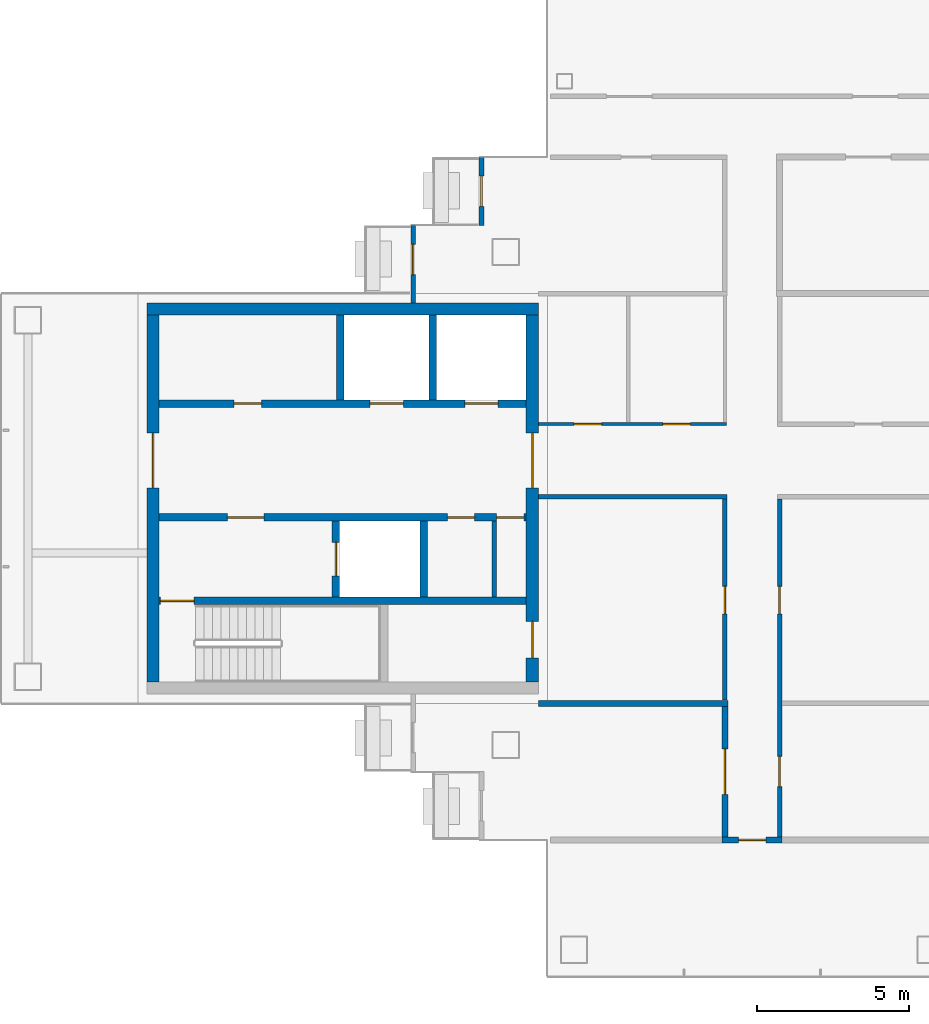
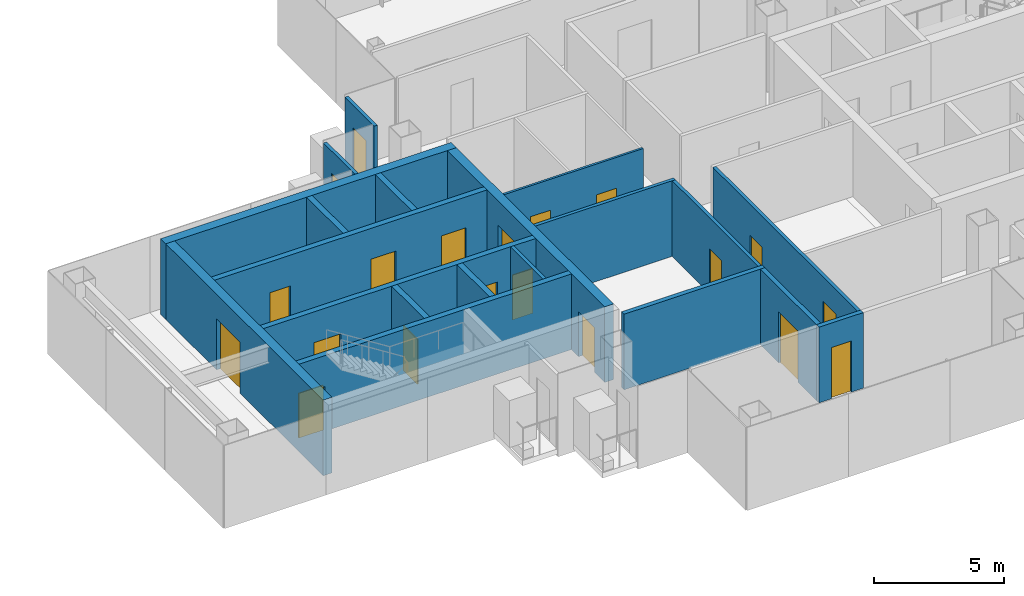
# One storey, part 11 of 17: 20 doors, 20 walls, 20 openings.
"""IFC4 building model written with IfcOpenShell, lengths in metres."""

from ifc_helpers import new_model, si_unit, direction, frame, frame_2d, origin, place, context, subcontext, project, spatial, rectangle, extrude, material, layer, layer_set, type_object, element, fill, save


model = new_model("IFC4")

# Units and contexts
model_context = context("Model", 3, precision=1e-05, world=origin(), true_north=direction((0.0, 1.0)))
body_context = subcontext(model_context, "Body", "Model", "MODEL_VIEW")
ifc_project = project(units=[si_unit("LENGTHUNIT", "METRE"), si_unit("AREAUNIT", "SQUARE_METRE"), si_unit("VOLUMEUNIT", "CUBIC_METRE"), si_unit("PLANEANGLEUNIT", "RADIAN"), si_unit("MASSUNIT", "GRAM", prefix="KILO")], contexts=[model_context])

# Site, building, storey
site_placement = place(None, origin())
site = spatial("IfcSite", under=ifc_project, at=site_placement, CompositionType="ELEMENT")
building_placement = place(site_placement, origin())
building = spatial("IfcBuilding", under=site, at=building_placement, Name="Shamsa Quay Exchange Towers", CompositionType="ELEMENT")
storey_placement = place(building_placement, frame((0.0, 0.0, 234.300048828125)))
storey = spatial("IfcBuildingStorey", under=building, at=storey_placement, Name="L56", CompositionType="ELEMENT", Elevation=234.300048828125)

# Wall, opening, door
ifc_material_1 = material(Name="Double-leaf gypsum board partition with acoustic insulation")
ifc_layer_1 = layer(ifc_material_1, 0.199951171875)
ifc_layer_set_1 = layer_set([ifc_layer_1], Name="Acoustic partition 200 mm EI 60")
wall_type_1 = type_object("IfcWallType", Name="Acoustic partition 200 mm EI 60", PredefinedType="PARTITIONING", material=ifc_layer_set_1)
wall_1_placement = place(storey_placement, frame((32.849609375, -11.14990234375, 0.0), z_axis=(0.0, 0.0, 1.0), x_axis=(0.0, 1.0, 0.0)))
wall_1 = element("IfcWall", 1, at=wall_1_placement, inside=storey, type_object=wall_type_1, Name="Partition T2-R25-W14", PredefinedType="PARTITIONING", context=body_context, shape_type="SweptSolid", body=[
    extrude(rectangle(XDim=4.2998046875, YDim=0.199951171875, at=frame_2d((2.14990234375, 0.0))), origin(), (0.0, 0.0, 1.0), 3.550048828125),
])
opening_1_placement = place(wall_1_placement, frame((1.39990234375, 0.0, 0.0)))
opening_1 = element("IfcOpeningElement", 2, at=opening_1_placement, cuts=wall_1, Name="Opening T2-R25-D06", PredefinedType="OPENING", context=body_context, shape_type="SweptSolid", body=[
    extrude(rectangle(XDim=1.5, YDim=2.39990234375, at=frame_2d((0.75, 1.199951171875))), frame((0.0, 0.10986328125, 0.0), z_axis=(0.0, -1.0, 0.0), x_axis=(1.0, 0.0, 0.0)), (0.0, 0.0, 1.0), 0.219970703125),
])
ifc_material_2 = material(Name="Timber door leaf in a metal frame", Category="wood")
door_type_1 = type_object("IfcDoorType", Name="Door 1500x2400 FD30S pair", OperationType="NOTDEFINED", PredefinedType="DOOR", material=ifc_material_2)
door_1_placement = place(opening_1_placement, origin())
door_1 = element("IfcDoor", 3, at=door_1_placement, inside=storey, type_object=door_type_1, Name="Door T2-R25-D06", OperationType="DOUBLE_DOOR_SINGLE_SWING", OverallHeight=2.39990234375, OverallWidth=1.5, PredefinedType="DOOR", context=body_context, shape_type="SweptSolid", body=[
    extrude(rectangle(XDim=1.5, YDim=2.39990234375, at=frame_2d((0.75, 1.199951171875))), frame((0.0, 0.02490234375, 0.0), z_axis=(0.0, -1.0, 0.0), x_axis=(1.0, 0.0, 0.0)), (0.0, 0.0, 1.0), 0.050048828125),
])
fill(opening_1, door_1)

wall_2_placement = place(storey_placement, frame((34.725341796875, -11.25, 0.0), z_axis=(0.0, 0.0, 1.0), x_axis=(-1.0, 0.0, 0.0)))
wall_2 = element("IfcWall", 4, at=wall_2_placement, inside=storey, type_object=wall_type_1, Name="Partition T2-R25-W15", PredefinedType="PARTITIONING", context=body_context, shape_type="SweptSolid", body=[
    extrude(rectangle(XDim=1.975830078125, YDim=0.199951171875, at=frame_2d((0.98779296875, 0.0))), origin(), (0.0, 0.0, 1.0), 3.550048828125),
])
opening_2_placement = place(wall_2_placement, frame((0.525390625, 0.0, 0.0)))
opening_2 = element("IfcOpeningElement", 5, at=opening_2_placement, cuts=wall_2, Name="Opening T2-R25-D05", PredefinedType="OPENING", context=body_context, shape_type="SweptSolid", body=[
    extrude(rectangle(XDim=0.89990234375, YDim=2.39990234375, at=frame_2d((0.449951171875, 1.199951171875))), frame((0.0, 0.10986328125, 0.0), z_axis=(0.0, -1.0, 0.0), x_axis=(1.0, 0.0, 0.0)), (0.0, 0.0, 1.0), 0.219970703125),
])
door_type_2 = type_object("IfcDoorType", Name="Door 900x2400 FD30S", OperationType="NOTDEFINED", PredefinedType="DOOR", material=ifc_material_2)
door_2_placement = place(opening_2_placement, origin())
door_2 = element("IfcDoor", 6, at=door_2_placement, inside=storey, type_object=door_type_2, Name="Door T2-R25-D05", OperationType="SINGLE_SWING_RIGHT", OverallHeight=2.39990234375, OverallWidth=0.89990234375, PredefinedType="DOOR", context=body_context, shape_type="SweptSolid", body=[
    extrude(rectangle(XDim=0.89990234375, YDim=2.39990234375, at=frame_2d((0.449951171875, 1.199951171875))), frame((0.0, 0.02490234375, 0.0), z_axis=(0.0, -1.0, 0.0), x_axis=(1.0, 0.0, 0.0)), (0.0, 0.0, 1.0), 0.050048828125),
])
fill(opening_2, door_2)

# Wall
wall_3_placement = place(storey_placement, frame((26.699951171875, -6.75, 0.0)))
element("IfcWall", 7, at=wall_3_placement, inside=storey, type_object=wall_type_1, Name="Partition T2-R25-W18", PredefinedType="PARTITIONING", context=body_context, shape_type="SweptSolid", body=[
    extrude(rectangle(XDim=6.249755859375, YDim=0.199951171875, at=frame_2d((3.125, 0.0))), origin(), (0.0, 0.0, 1.0), 3.550048828125),
])

# Wall, opening, door
ifc_material_3 = material(Name="Aluminium EN AW-6063 T6, black anodised, with black enamelled glass infill", Category="aluminium")
ifc_layer_2 = layer(ifc_material_3, 0.14990234375)
ifc_layer_set_2 = layer_set([ifc_layer_2], Name="BALCONY DOOR BAY WALL 150")
wall_type_2 = type_object("IfcWallType", Name="BALCONY DOOR BAY WALL 150", PredefinedType="SOLIDWALL", material=ifc_layer_set_2)
wall_4_placement = place(storey_placement, frame((24.824951171875, 9.0, 0.0), z_axis=(0.0, 0.0, 1.0), x_axis=(0.0, 1.0, 0.0)))
wall_4 = element("IfcWall", 8, at=wall_4_placement, inside=storey, type_object=wall_type_2, Name="Door bay T2-PKEN L56", PredefinedType="SOLIDWALL", context=body_context, shape_type="SweptSolid", body=[
    extrude(rectangle(XDim=2.25, YDim=0.14990234375, at=frame_2d((1.125, 0.0))), origin(), (0.0, 0.0, 1.0), 3.449951171875),
])
opening_3_placement = place(wall_4_placement, frame((0.625, 0.0, 0.0)))
opening_3 = element("IfcOpeningElement", 9, at=opening_3_placement, cuts=wall_4, Name="Opening XD369", PredefinedType="OPENING", context=body_context, shape_type="SweptSolid", body=[
    extrude(rectangle(XDim=1.0, YDim=2.39990234375, at=frame_2d((0.5, 1.199951171875))), frame((0.0, 0.0849609375, 0.0), z_axis=(0.0, -1.0, 0.0), x_axis=(1.0, 0.0, 0.0)), (0.0, 0.0, 1.0), 0.169921875),
])
ifc_material_4 = material(Name="Aluminium EN AW-6063 T6, black anodised, with laminated glass leaf", Category="aluminium")
door_type_3 = type_object("IfcDoorType", Name="BALCONY DOOR 1000x2400", OperationType="SINGLE_SWING_LEFT", PredefinedType="DOOR", material=ifc_material_4)
door_3_placement = place(opening_3_placement, origin())
door_3 = element("IfcDoor", 10, at=door_3_placement, inside=storey, type_object=door_type_3, Name="Balcony door T2-PKEN L56", OperationType="SINGLE_SWING_RIGHT", OverallHeight=2.39990234375, OverallWidth=1.0, PredefinedType="DOOR", context=body_context, shape_type="SweptSolid", body=[
    extrude(rectangle(XDim=1.0, YDim=2.39990234375, at=frame_2d((0.5, 1.199951171875))), frame((0.0, 0.02490234375, 0.0), z_axis=(0.0, -1.0, 0.0), x_axis=(1.0, 0.0, 0.0)), (0.0, 0.0, 1.0), 0.050048828125),
])
fill(opening_3, door_3)

wall_5_placement = place(storey_placement, frame((22.574951171875, 6.447998046875, 0.0), z_axis=(0.0, 0.0, 1.0), x_axis=(0.0, 1.0, 0.0)))
wall_5 = element("IfcWall", 11, at=wall_5_placement, inside=storey, type_object=wall_type_2, Name="Door bay T2-PKEN L56", PredefinedType="SOLIDWALL", context=body_context, shape_type="SweptSolid", body=[
    extrude(rectangle(XDim=2.552001953125, YDim=0.14990234375, at=frame_2d((1.27587890625, 0.0))), origin(), (0.0, 0.0, 1.0), 3.449951171875),
])
opening_4_placement = place(wall_5_placement, frame((0.927001953125, 0.0, 0.0)))
opening_4 = element("IfcOpeningElement", 12, at=opening_4_placement, cuts=wall_5, Name="Opening XD370", PredefinedType="OPENING", context=body_context, shape_type="SweptSolid", body=[
    extrude(rectangle(XDim=1.0, YDim=2.39990234375, at=frame_2d((0.5, 1.199951171875))), frame((0.0, 0.0849609375, 0.0), z_axis=(0.0, -1.0, 0.0), x_axis=(1.0, 0.0, 0.0)), (0.0, 0.0, 1.0), 0.169921875),
])
door_4_placement = place(opening_4_placement, origin())
door_4 = element("IfcDoor", 13, at=door_4_placement, inside=storey, type_object=door_type_3, Name="Balcony door T2-PKEN L56", OperationType="SINGLE_SWING_LEFT", OverallHeight=2.39990234375, OverallWidth=1.0, PredefinedType="DOOR", context=body_context, shape_type="SweptSolid", body=[
    extrude(rectangle(XDim=1.0, YDim=2.39990234375, at=frame_2d((0.5, 1.199951171875))), frame((0.0, 0.02490234375, 0.0), z_axis=(0.0, -1.0, 0.0), x_axis=(1.0, 0.0, 0.0)), (0.0, 0.0, 1.0), 0.050048828125),
])
fill(opening_4, door_4)

# Wall
ifc_material_5 = material(Name="Concrete C60/75", Category="concrete")
ifc_layer_3 = layer(ifc_material_5, 0.39990234375)
ifc_layer_set_3 = layer_set([ifc_layer_3], Name="CORE WALL 400 C60/75")
wall_type_3 = type_object("IfcWallType", Name="CORE WALL 400 C60/75", PredefinedType="SHEAR", material=ifc_layer_set_3)
wall_6_placement = place(storey_placement, frame((13.800048828125, 6.25, 0.0)))
element("IfcWall", 14, at=wall_6_placement, inside=storey, type_object=wall_type_3, Name="Core wall T2A-R25-PN", PredefinedType="SHEAR", context=body_context, shape_type="SweptSolid", body=[
    extrude(rectangle(XDim=12.89990234375, YDim=0.39990234375, at=frame_2d((6.449951171875, 0.0))), origin(), (0.0, 0.0, 1.0), 3.550048828125),
])

# Wall, opening, door
wall_7_placement = place(storey_placement, frame((14.0, 6.050048828125, 0.0), z_axis=(0.0, 0.0, 1.0), x_axis=(0.0, -1.0, 0.0)))
wall_7 = element("IfcWall", 15, at=wall_7_placement, inside=storey, type_object=wall_type_3, Name="Core wall T2A-R25-PF", PredefinedType="SHEAR", context=body_context, shape_type="SweptSolid", body=[
    extrude(rectangle(XDim=12.10009765625, YDim=0.39990234375, at=frame_2d((6.050048828125, 0.0))), origin(), (0.0, 0.0, 1.0), 3.550048828125),
])
opening_5_placement = place(wall_7_placement, frame((3.89990234375, 0.0, 0.0)))
opening_5 = element("IfcOpeningElement", 16, at=opening_5_placement, cuts=wall_7, Name="Opening T2A-R25-LBD01", PredefinedType="OPENING", context=body_context, shape_type="SweptSolid", body=[
    extrude(rectangle(XDim=1.800048828125, YDim=2.39990234375, at=frame_2d((0.89990234375, 1.199951171875))), frame((0.0, 0.2099609375, 0.0), z_axis=(0.0, -1.0, 0.0), x_axis=(1.0, 0.0, 0.0)), (0.0, 0.0, 1.0), 0.419921875),
])
ifc_material_6 = material(Name="Steel, fire rated", Category="steel")
door_type_4 = type_object("IfcDoorType", Name="LIFT LOBBY DOOR PAIR 1800", OperationType="DOUBLE_DOOR_SINGLE_SWING", PredefinedType="DOOR", material=ifc_material_6)
door_5_placement = place(opening_5_placement, origin())
door_5 = element("IfcDoor", 17, at=door_5_placement, inside=storey, type_object=door_type_4, Name="T2A-R25-LBD01", OperationType="DOUBLE_DOOR_SINGLE_SWING", OverallHeight=2.39990234375, OverallWidth=1.800048828125, PredefinedType="DOOR", context=body_context, shape_type="SweptSolid", body=[
    extrude(rectangle(XDim=1.800048828125, YDim=2.39990234375, at=frame_2d((0.89990234375, 1.199951171875))), frame((0.0, 0.02490234375, 0.0), z_axis=(0.0, -1.0, 0.0), x_axis=(1.0, 0.0, 0.0)), (0.0, 0.0, 1.0), 0.050048828125),
])
fill(opening_5, door_5)

# Wall, openings, doors
wall_8_placement = place(storey_placement, frame((26.5, 6.050048828125, 0.0), z_axis=(0.0, 0.0, 1.0), x_axis=(0.0, -1.0, 0.0)))
wall_8 = element("IfcWall", 18, at=wall_8_placement, inside=storey, type_object=wall_type_3, Name="Core wall T2A-R25-PB", PredefinedType="SHEAR", context=body_context, shape_type="SweptSolid", body=[
    extrude(rectangle(XDim=12.10009765625, YDim=0.39990234375, at=frame_2d((6.050048828125, 0.0))), origin(), (0.0, 0.0, 1.0), 3.550048828125),
])
opening_6_placement = place(wall_8_placement, frame((10.10009765625, 0.0, 0.0)))
opening_6 = element("IfcOpeningElement", 19, at=opening_6_placement, cuts=wall_8, Name="Opening T2A-R25-RD02", PredefinedType="OPENING", context=body_context, shape_type="SweptSolid", body=[
    extrude(rectangle(XDim=1.199951171875, YDim=2.10009765625, at=frame_2d((0.60009765625, 1.050048828125))), frame((0.0, 0.2099609375, 0.0), z_axis=(0.0, -1.0, 0.0), x_axis=(1.0, 0.0, 0.0)), (0.0, 0.0, 1.0), 0.419921875),
])
opening_7_placement = place(wall_8_placement, frame((3.89990234375, 0.0, 0.0)))
opening_7 = element("IfcOpeningElement", 20, at=opening_7_placement, cuts=wall_8, Name="Opening T2A-R25-LBD03", PredefinedType="OPENING", context=body_context, shape_type="SweptSolid", body=[
    extrude(rectangle(XDim=1.800048828125, YDim=2.39990234375, at=frame_2d((0.89990234375, 1.199951171875))), frame((0.0, 0.2099609375, 0.0), z_axis=(0.0, -1.0, 0.0), x_axis=(1.0, 0.0, 0.0)), (0.0, 0.0, 1.0), 0.419921875),
])
door_6_placement = place(opening_7_placement, origin())
door_6 = element("IfcDoor", 21, at=door_6_placement, inside=storey, type_object=door_type_4, Name="T2A-R25-LBD03", OperationType="DOUBLE_DOOR_SINGLE_SWING", OverallHeight=2.39990234375, OverallWidth=1.800048828125, PredefinedType="DOOR", context=body_context, shape_type="SweptSolid", body=[
    extrude(rectangle(XDim=1.800048828125, YDim=2.39990234375, at=frame_2d((0.89990234375, 1.199951171875))), frame((0.0, 0.02490234375, 0.0), z_axis=(0.0, -1.0, 0.0), x_axis=(1.0, 0.0, 0.0)), (0.0, 0.0, 1.0), 0.050048828125),
])
fill(opening_7, door_6)
door_type_5 = type_object("IfcDoorType", Name="RISER ACCESS DOOR 1200", OperationType="SINGLE_SWING_LEFT", PredefinedType="DOOR", material=ifc_material_6)
door_7_placement = place(opening_6_placement, origin())
door_7 = element("IfcDoor", 22, at=door_7_placement, inside=storey, type_object=door_type_5, Name="T2A-R25-RD02", OperationType="SINGLE_SWING_RIGHT", OverallHeight=2.10009765625, OverallWidth=1.199951171875, PredefinedType="DOOR", context=body_context, shape_type="SweptSolid", body=[
    extrude(rectangle(XDim=1.199951171875, YDim=2.10009765625, at=frame_2d((0.60009765625, 1.050048828125))), frame((0.0, 0.02490234375, 0.0), z_axis=(0.0, -1.0, 0.0), x_axis=(1.0, 0.0, 0.0)), (0.0, 0.0, 1.0), 0.050048828125),
])
fill(opening_6, door_7)

# Wall
ifc_material_7 = material(Name="Gypsum board on steel studs, EI 60", Category="steel")
ifc_layer_4 = layer(ifc_material_7, 0.14990234375)
ifc_layer_set_4 = layer_set([ifc_layer_4], Name="FIRE PARTITION 150")
wall_type_4 = type_object("IfcWallType", Name="FIRE PARTITION 150", PredefinedType="PARTITIONING", material=ifc_layer_set_4)
wall_9_placement = place(storey_placement, frame((25.25, -3.25, 0.0), z_axis=(0.0, 0.0, 1.0), x_axis=(0.0, 1.0, 0.0)))
element("IfcWall", 23, at=wall_9_placement, inside=storey, type_object=wall_type_4, Name="Partition T2A-R25-EC0", PredefinedType="PARTITIONING", context=body_context, shape_type="SweptSolid", body=[
    extrude(rectangle(XDim=2.5, YDim=0.14990234375, at=frame_2d((1.25, 0.0))), origin(), (0.0, 0.0, 1.0), 3.550048828125),
])

# Wall, openings, doors
ifc_material_8 = material(Name="Gypsum board partition on metal studs")
ifc_layer_5 = layer(ifc_material_8, 0.10009765625)
ifc_layer_set_5 = layer_set([ifc_layer_5], Name="Partition 100 mm NOT RATED")
wall_type_5 = type_object("IfcWallType", Name="Partition 100 mm NOT RATED", PredefinedType="PARTITIONING", material=ifc_layer_set_5)
wall_10_placement = place(storey_placement, frame((26.699951171875, 2.4501953125, 0.0)))
wall_10 = element("IfcWall", 24, at=wall_10_placement, inside=storey, type_object=wall_type_5, Name="Partition T2-R25-W02", PredefinedType="PARTITIONING", context=body_context, shape_type="SweptSolid", body=[
    extrude(rectangle(XDim=6.19970703125, YDim=0.10009765625, at=frame_2d((3.099853515625, 0.0))), origin(), (0.0, 0.0, 1.0), 3.550048828125),
])
opening_8_placement = place(wall_10_placement, frame((4.105712890625, 0.0, 0.0)))
opening_8 = element("IfcOpeningElement", 25, at=opening_8_placement, cuts=wall_10, Name="Opening T2-R25-D08", PredefinedType="OPENING", context=body_context, shape_type="SweptSolid", body=[
    extrude(rectangle(XDim=0.89990234375, YDim=2.10009765625, at=frame_2d((0.449951171875, 1.050048828125))), frame((0.0, 0.06005859375, 0.0), z_axis=(0.0, -1.0, 0.0), x_axis=(1.0, 0.0, 0.0)), (0.0, 0.0, 1.0), 0.1201171875),
])
opening_9_placement = place(wall_10_placement, frame((1.18115234375, 0.0, 0.0)))
opening_9 = element("IfcOpeningElement", 26, at=opening_9_placement, cuts=wall_10, Name="Opening T2-R25-D09", PredefinedType="OPENING", context=body_context, shape_type="SweptSolid", body=[
    extrude(rectangle(XDim=0.89990234375, YDim=2.10009765625, at=frame_2d((0.449951171875, 1.050048828125))), frame((0.0, 0.06005859375, 0.0), z_axis=(0.0, -1.0, 0.0), x_axis=(1.0, 0.0, 0.0)), (0.0, 0.0, 1.0), 0.1201171875),
])
door_type_6 = type_object("IfcDoorType", Name="Door 900x2100 NOT RATED", OperationType="NOTDEFINED", PredefinedType="DOOR", material=ifc_material_2)
door_8_placement = place(opening_8_placement, origin())
door_8 = element("IfcDoor", 27, at=door_8_placement, inside=storey, type_object=door_type_6, Name="Door T2-R25-D08", OperationType="SINGLE_SWING_RIGHT", OverallHeight=2.10009765625, OverallWidth=0.89990234375, PredefinedType="DOOR", context=body_context, shape_type="SweptSolid", body=[
    extrude(rectangle(XDim=0.89990234375, YDim=2.10009765625, at=frame_2d((0.449951171875, 1.050048828125))), frame((0.0, 0.02490234375, 0.0), z_axis=(0.0, -1.0, 0.0), x_axis=(1.0, 0.0, 0.0)), (0.0, 0.0, 1.0), 0.050048828125),
])
fill(opening_8, door_8)
door_9_placement = place(opening_9_placement, origin())
door_9 = element("IfcDoor", 28, at=door_9_placement, inside=storey, type_object=door_type_6, Name="Door T2-R25-D09", OperationType="SINGLE_SWING_RIGHT", OverallHeight=2.10009765625, OverallWidth=0.89990234375, PredefinedType="DOOR", context=body_context, shape_type="SweptSolid", body=[
    extrude(rectangle(XDim=0.89990234375, YDim=2.10009765625, at=frame_2d((0.449951171875, 1.050048828125))), frame((0.0, 0.02490234375, 0.0), z_axis=(0.0, -1.0, 0.0), x_axis=(1.0, 0.0, 0.0)), (0.0, 0.0, 1.0), 0.050048828125),
])
fill(opening_9, door_9)

# Wall
ifc_layer_6 = layer(ifc_material_8, 0.14990234375)
ifc_layer_set_6 = layer_set([ifc_layer_6], Name="Partition 150 mm EI 60")
wall_type_6 = type_object("IfcWallType", Name="Partition 150 mm EI 60", PredefinedType="PARTITIONING", material=ifc_layer_set_6)
wall_11_placement = place(storey_placement, frame((32.924560546875, 0.0498046875, 0.0), z_axis=(0.0, 0.0, 1.0), x_axis=(-1.0, 0.0, 0.0)))
element("IfcWall", 29, at=wall_11_placement, inside=storey, type_object=wall_type_6, Name="Partition T2-R25-W03", PredefinedType="PARTITIONING", context=body_context, shape_type="SweptSolid", body=[
    extrude(rectangle(XDim=6.224609375, YDim=0.14990234375, at=frame_2d((3.1123046875, 0.0))), origin(), (0.0, 0.0, 1.0), 3.550048828125),
])

# Wall, opening, door
wall_12_placement = place(storey_placement, frame((32.849609375, -6.64990234375, 0.0), z_axis=(0.0, 0.0, 1.0), x_axis=(0.0, 1.0, 0.0)))
wall_12 = element("IfcWall", 30, at=wall_12_placement, inside=storey, type_object=wall_type_6, Name="Partition T2-R25-W06", PredefinedType="PARTITIONING", context=body_context, shape_type="SweptSolid", body=[
    extrude(rectangle(XDim=6.624755859375, YDim=0.14990234375, at=frame_2d((3.3125, 0.0))), origin(), (0.0, 0.0, 1.0), 3.550048828125),
])
opening_10_placement = place(wall_12_placement, frame((2.849853515625, 0.0, 0.0)))
opening_10 = element("IfcOpeningElement", 31, at=opening_10_placement, cuts=wall_12, Name="Opening T2-R25-D07", PredefinedType="OPENING", context=body_context, shape_type="SweptSolid", body=[
    extrude(rectangle(XDim=0.89990234375, YDim=2.10009765625, at=frame_2d((0.449951171875, 1.050048828125))), frame((0.0, 0.0849609375, 0.0), z_axis=(0.0, -1.0, 0.0), x_axis=(1.0, 0.0, 0.0)), (0.0, 0.0, 1.0), 0.169921875),
])
door_type_7 = type_object("IfcDoorType", Name="Door 900x2100 FD30S", OperationType="NOTDEFINED", PredefinedType="DOOR", material=ifc_material_2)
door_10_placement = place(opening_10_placement, origin())
door_10 = element("IfcDoor", 32, at=door_10_placement, inside=storey, type_object=door_type_7, Name="Door T2-R25-D07", OperationType="SINGLE_SWING_RIGHT", OverallHeight=2.10009765625, OverallWidth=0.89990234375, PredefinedType="DOOR", context=body_context, shape_type="SweptSolid", body=[
    extrude(rectangle(XDim=0.89990234375, YDim=2.10009765625, at=frame_2d((0.449951171875, 1.050048828125))), frame((0.0, 0.02490234375, 0.0), z_axis=(0.0, -1.0, 0.0), x_axis=(1.0, 0.0, 0.0)), (0.0, 0.0, 1.0), 0.050048828125),
])
fill(opening_10, door_10)

# Wall, openings, doors
wall_13_placement = place(storey_placement, frame((34.650390625, -0.025146484375, 0.0), z_axis=(0.0, 0.0, 1.0), x_axis=(0.0, -1.0, 0.0)))
wall_13 = element("IfcWall", 33, at=wall_13_placement, inside=storey, type_object=wall_type_6, Name="Partition T2-R25-W08", PredefinedType="PARTITIONING", context=body_context, shape_type="SweptSolid", body=[
    extrude(rectangle(XDim=11.124755859375, YDim=0.14990234375, at=frame_2d((5.5625, 0.0))), origin(), (0.0, 0.0, 1.0), 3.550048828125),
])
opening_11_placement = place(wall_13_placement, frame((8.474853515625, 0.0, 0.0)))
opening_11 = element("IfcOpeningElement", 34, at=opening_11_placement, cuts=wall_13, Name="Opening T2-R25-D02", PredefinedType="OPENING", context=body_context, shape_type="SweptSolid", body=[
    extrude(rectangle(XDim=1.0, YDim=2.39990234375, at=frame_2d((0.5, 1.199951171875))), frame((0.0, 0.0849609375, 0.0), z_axis=(0.0, -1.0, 0.0), x_axis=(1.0, 0.0, 0.0)), (0.0, 0.0, 1.0), 0.169921875),
])
opening_12_placement = place(wall_13_placement, frame((2.875, 0.0, 0.0)))
opening_12 = element("IfcOpeningElement", 35, at=opening_12_placement, cuts=wall_13, Name="Opening T2-R25-D03", PredefinedType="OPENING", context=body_context, shape_type="SweptSolid", body=[
    extrude(rectangle(XDim=0.89990234375, YDim=2.10009765625, at=frame_2d((0.449951171875, 1.050048828125))), frame((0.0, 0.0849609375, 0.0), z_axis=(0.0, -1.0, 0.0), x_axis=(1.0, 0.0, 0.0)), (0.0, 0.0, 1.0), 0.169921875),
])
door_type_8 = type_object("IfcDoorType", Name="Door 1000x2400 FD30S", OperationType="NOTDEFINED", PredefinedType="DOOR", material=ifc_material_2)
door_11_placement = place(opening_11_placement, origin())
door_11 = element("IfcDoor", 36, at=door_11_placement, inside=storey, type_object=door_type_8, Name="Door T2-R25-D02", OperationType="SINGLE_SWING_LEFT", OverallHeight=2.39990234375, OverallWidth=1.0, PredefinedType="DOOR", context=body_context, shape_type="SweptSolid", body=[
    extrude(rectangle(XDim=1.0, YDim=2.39990234375, at=frame_2d((0.5, 1.199951171875))), frame((0.0, 0.02490234375, 0.0), z_axis=(0.0, -1.0, 0.0), x_axis=(1.0, 0.0, 0.0)), (0.0, 0.0, 1.0), 0.050048828125),
])
fill(opening_11, door_11)
door_12_placement = place(opening_12_placement, origin())
door_12 = element("IfcDoor", 37, at=door_12_placement, inside=storey, type_object=door_type_7, Name="Door T2-R25-D03", OperationType="SINGLE_SWING_RIGHT", OverallHeight=2.10009765625, OverallWidth=0.89990234375, PredefinedType="DOOR", context=body_context, shape_type="SweptSolid", body=[
    extrude(rectangle(XDim=0.89990234375, YDim=2.10009765625, at=frame_2d((0.449951171875, 1.050048828125))), frame((0.0, 0.02490234375, 0.0), z_axis=(0.0, -1.0, 0.0), x_axis=(1.0, 0.0, 0.0)), (0.0, 0.0, 1.0), 0.050048828125),
])
fill(opening_12, door_12)

# Wall, opening, door
ifc_material_9 = material(Name="Concrete C50/60", Category="concrete")
ifc_layer_7 = layer(ifc_material_9, 0.25)
ifc_layer_set_7 = layer_set([ifc_layer_7], Name="SHAFT WALL 250 C50/60")
wall_type_7 = type_object("IfcWallType", Name="SHAFT WALL 250 C50/60", PredefinedType="SHEAR", material=ifc_layer_set_7)
wall_14_placement = place(storey_placement, frame((26.300048828125, -3.375, 0.0), z_axis=(0.0, 0.0, 1.0), x_axis=(-1.0, 0.0, 0.0)))
wall_14 = element("IfcWall", 38, at=wall_14_placement, inside=storey, type_object=wall_type_7, Name="Shaft wall T2A-R25-STL", PredefinedType="SHEAR", context=body_context, shape_type="SweptSolid", body=[
    extrude(rectangle(XDim=12.10009765625, YDim=0.25, at=frame_2d((6.050048828125, 0.0))), origin(), (0.0, 0.0, 1.0), 3.550048828125),
])
opening_13_placement = place(wall_14_placement, frame((10.949951171875, 0.0, 0.0)))
opening_13 = element("IfcOpeningElement", 39, at=opening_13_placement, cuts=wall_14, Name="Opening T2A-R25-SD04", PredefinedType="OPENING", context=body_context, shape_type="SweptSolid", body=[
    extrude(rectangle(XDim=1.10009765625, YDim=2.10009765625, at=frame_2d((0.550048828125, 1.050048828125))), frame((0.0, 0.135009765625, 0.0), z_axis=(0.0, -1.0, 0.0), x_axis=(1.0, 0.0, 0.0)), (0.0, 0.0, 1.0), 0.27001953125),
])
door_type_9 = type_object("IfcDoorType", Name="STAIR DOOR 1100", OperationType="SINGLE_SWING_LEFT", PredefinedType="DOOR", material=ifc_material_6)
door_13_placement = place(opening_13_placement, origin())
door_13 = element("IfcDoor", 40, at=door_13_placement, inside=storey, type_object=door_type_9, Name="T2A-R25-SD04", OperationType="SINGLE_SWING_RIGHT", OverallHeight=2.10009765625, OverallWidth=1.10009765625, PredefinedType="DOOR", context=body_context, shape_type="SweptSolid", body=[
    extrude(rectangle(XDim=1.10009765625, YDim=2.10009765625, at=frame_2d((0.550048828125, 1.050048828125))), frame((0.0, 0.02490234375, 0.0), z_axis=(0.0, -1.0, 0.0), x_axis=(1.0, 0.0, 0.0)), (0.0, 0.0, 1.0), 0.050048828125),
])
fill(opening_13, door_13)

# Wall, openings, doors
wall_15_placement = place(storey_placement, frame((26.300048828125, -0.625, 0.0), z_axis=(0.0, 0.0, 1.0), x_axis=(-1.0, 0.0, 0.0)))
wall_15 = element("IfcWall", 41, at=wall_15_placement, inside=storey, type_object=wall_type_7, Name="Shaft wall T2A-R25-B", PredefinedType="SHEAR", context=body_context, shape_type="SweptSolid", body=[
    extrude(rectangle(XDim=12.10009765625, YDim=0.25, at=frame_2d((6.050048828125, 0.0))), origin(), (0.0, 0.0, 1.0), 3.550048828125),
])
opening_14_placement = place(wall_15_placement, frame((8.64990234375, 0.0, 0.0)))
opening_14 = element("IfcOpeningElement", 42, at=opening_14_placement, cuts=wall_15, Name="Opening T2A-R25-FD05", PredefinedType="OPENING", context=body_context, shape_type="SweptSolid", body=[
    extrude(rectangle(XDim=1.199951171875, YDim=2.10009765625, at=frame_2d((0.60009765625, 1.050048828125))), frame((0.0, 0.135009765625, 0.0), z_axis=(0.0, -1.0, 0.0), x_axis=(1.0, 0.0, 0.0)), (0.0, 0.0, 1.0), 0.27001953125),
])
opening_15_placement = place(wall_15_placement, frame((1.699951171875, 0.0, 0.0)))
opening_15 = element("IfcOpeningElement", 43, at=opening_15_placement, cuts=wall_15, Name="Opening T2A-R25-SV06", PredefinedType="OPENING", context=body_context, shape_type="SweptSolid", body=[
    extrude(rectangle(XDim=0.89990234375, YDim=2.10009765625, at=frame_2d((0.449951171875, 1.050048828125))), frame((0.0, 0.135009765625, 0.0), z_axis=(0.0, -1.0, 0.0), x_axis=(1.0, 0.0, 0.0)), (0.0, 0.0, 1.0), 0.27001953125),
])
opening_16_placement = place(wall_15_placement, frame((0.074951171875, 0.0, 0.0)))
opening_16 = element("IfcOpeningElement", 44, at=opening_16_placement, cuts=wall_15, Name="Opening T2A-R25-SV07", PredefinedType="OPENING", context=body_context, shape_type="SweptSolid", body=[
    extrude(rectangle(XDim=0.89990234375, YDim=2.10009765625, at=frame_2d((0.449951171875, 1.050048828125))), frame((0.0, 0.135009765625, 0.0), z_axis=(0.0, -1.0, 0.0), x_axis=(1.0, 0.0, 0.0)), (0.0, 0.0, 1.0), 0.27001953125),
])
door_type_10 = type_object("IfcDoorType", Name="FIRE SERVICE LOBBY DOOR 1200", OperationType="SINGLE_SWING_LEFT", PredefinedType="DOOR", material=ifc_material_6)
door_14_placement = place(opening_14_placement, origin())
door_14 = element("IfcDoor", 45, at=door_14_placement, inside=storey, type_object=door_type_10, Name="T2A-R25-FD05", OperationType="SINGLE_SWING_RIGHT", OverallHeight=2.10009765625, OverallWidth=1.199951171875, PredefinedType="DOOR", context=body_context, shape_type="SweptSolid", body=[
    extrude(rectangle(XDim=1.199951171875, YDim=2.10009765625, at=frame_2d((0.60009765625, 1.050048828125))), frame((0.0, 0.02490234375, 0.0), z_axis=(0.0, -1.0, 0.0), x_axis=(1.0, 0.0, 0.0)), (0.0, 0.0, 1.0), 0.050048828125),
])
fill(opening_14, door_14)
door_type_11 = type_object("IfcDoorType", Name="SERVICE ROOM DOOR 900", OperationType="SINGLE_SWING_LEFT", PredefinedType="DOOR", material=ifc_material_6)
door_15_placement = place(opening_15_placement, origin())
door_15 = element("IfcDoor", 46, at=door_15_placement, inside=storey, type_object=door_type_11, Name="T2A-R25-SV06", OperationType="SINGLE_SWING_LEFT", OverallHeight=2.10009765625, OverallWidth=0.89990234375, PredefinedType="DOOR", context=body_context, shape_type="SweptSolid", body=[
    extrude(rectangle(XDim=0.89990234375, YDim=2.10009765625, at=frame_2d((0.449951171875, 1.050048828125))), frame((0.0, 0.02490234375, 0.0), z_axis=(0.0, -1.0, 0.0), x_axis=(1.0, 0.0, 0.0)), (0.0, 0.0, 1.0), 0.050048828125),
])
fill(opening_15, door_15)
door_16_placement = place(opening_16_placement, origin())
door_16 = element("IfcDoor", 47, at=door_16_placement, inside=storey, type_object=door_type_11, Name="T2A-R25-SV07", OperationType="SINGLE_SWING_LEFT", OverallHeight=2.10009765625, OverallWidth=0.89990234375, PredefinedType="DOOR", context=body_context, shape_type="SweptSolid", body=[
    extrude(rectangle(XDim=0.89990234375, YDim=2.10009765625, at=frame_2d((0.449951171875, 1.050048828125))), frame((0.0, 0.02490234375, 0.0), z_axis=(0.0, -1.0, 0.0), x_axis=(1.0, 0.0, 0.0)), (0.0, 0.0, 1.0), 0.050048828125),
])
fill(opening_16, door_16)

# Wall, opening, door
wall_16_placement = place(storey_placement, frame((20.02490234375, -3.25, 0.0), z_axis=(0.0, 0.0, 1.0), x_axis=(0.0, 1.0, 0.0)))
wall_16 = element("IfcWall", 48, at=wall_16_placement, inside=storey, type_object=wall_type_7, Name="Shaft wall T2A-R25-FFF", PredefinedType="SHEAR", context=body_context, shape_type="SweptSolid", body=[
    extrude(rectangle(XDim=2.5, YDim=0.25, at=frame_2d((1.25, 0.0))), origin(), (0.0, 0.0, 1.0), 3.550048828125),
])
opening_17_placement = place(wall_16_placement, frame((0.699951171875, 0.0, 0.0)))
opening_17 = element("IfcOpeningElement", 49, at=opening_17_placement, cuts=wall_16, Name="Opening T2A-R25-LDF08", PredefinedType="OPENING", context=body_context, shape_type="SweptSolid", body=[
    extrude(rectangle(XDim=1.10009765625, YDim=2.10009765625, at=frame_2d((0.550048828125, 1.050048828125))), frame((0.0, 0.135009765625, 0.0), z_axis=(0.0, -1.0, 0.0), x_axis=(1.0, 0.0, 0.0)), (0.0, 0.0, 1.0), 0.27001953125),
])
door_type_12 = type_object("IfcDoorType", Name="FIRE SERVICE LANDING DOOR 1100", OperationType="SLIDING_TO_LEFT", PredefinedType="DOOR", material=ifc_material_6)
door_17_placement = place(opening_17_placement, origin())
door_17 = element("IfcDoor", 50, at=door_17_placement, inside=storey, type_object=door_type_12, Name="T2A-R25-LDF08", OperationType="SLIDING_TO_LEFT", OverallHeight=2.10009765625, OverallWidth=1.10009765625, PredefinedType="DOOR", context=body_context, shape_type="SweptSolid", body=[
    extrude(rectangle(XDim=1.10009765625, YDim=2.10009765625, at=frame_2d((0.550048828125, 1.050048828125))), frame((0.0, 0.02490234375, 0.0), z_axis=(0.0, -1.0, 0.0), x_axis=(1.0, 0.0, 0.0)), (0.0, 0.0, 1.0), 0.050048828125),
])
fill(opening_17, door_17)

# Wall
wall_17_placement = place(storey_placement, frame((22.925048828125, -3.25, 0.0), z_axis=(0.0, 0.0, 1.0), x_axis=(0.0, 1.0, 0.0)))
element("IfcWall", 51, at=wall_17_placement, inside=storey, type_object=wall_type_7, Name="Shaft wall T2A-R25-FFB", PredefinedType="SHEAR", context=body_context, shape_type="SweptSolid", body=[
    extrude(rectangle(XDim=2.5, YDim=0.25, at=frame_2d((1.25, 0.0))), origin(), (0.0, 0.0, 1.0), 3.550048828125),
])

# Wall, openings, doors
wall_18_placement = place(storey_placement, frame((14.199951171875, 3.125, 0.0)))
wall_18 = element("IfcWall", 52, at=wall_18_placement, inside=storey, type_object=wall_type_7, Name="Shaft wall T2A-R25-N", PredefinedType="SHEAR", context=body_context, shape_type="SweptSolid", body=[
    extrude(rectangle(XDim=12.10009765625, YDim=0.25, at=frame_2d((6.050048828125, 0.0))), origin(), (0.0, 0.0, 1.0), 3.550048828125),
])
opening_18_placement = place(wall_18_placement, frame((6.949951171875, 0.0, 0.0)))
opening_18 = element("IfcOpeningElement", 53, at=opening_18_placement, cuts=wall_18, Name="Opening T2A-R25-LD09", PredefinedType="OPENING", context=body_context, shape_type="SweptSolid", body=[
    extrude(rectangle(XDim=1.10009765625, YDim=2.10009765625, at=frame_2d((0.550048828125, 1.050048828125))), frame((0.0, 0.135009765625, 0.0), z_axis=(0.0, -1.0, 0.0), x_axis=(1.0, 0.0, 0.0)), (0.0, 0.0, 1.0), 0.27001953125),
])
opening_19_placement = place(wall_18_placement, frame((10.074951171875, 0.0, 0.0)))
opening_19 = element("IfcOpeningElement", 54, at=opening_19_placement, cuts=wall_18, Name="Opening T2A-R25-LD10", PredefinedType="OPENING", context=body_context, shape_type="SweptSolid", body=[
    extrude(rectangle(XDim=1.10009765625, YDim=2.10009765625, at=frame_2d((0.550048828125, 1.050048828125))), frame((0.0, 0.135009765625, 0.0), z_axis=(0.0, -1.0, 0.0), x_axis=(1.0, 0.0, 0.0)), (0.0, 0.0, 1.0), 0.27001953125),
])
opening_20_placement = place(wall_18_placement, frame((2.47509765625, 0.0, 0.0)))
opening_20 = element("IfcOpeningElement", 55, at=opening_20_placement, cuts=wall_18, Name="Opening T2A-R25-SV11", PredefinedType="OPENING", context=body_context, shape_type="SweptSolid", body=[
    extrude(rectangle(XDim=0.89990234375, YDim=2.10009765625, at=frame_2d((0.449951171875, 1.050048828125))), frame((0.0, 0.135009765625, 0.0), z_axis=(0.0, -1.0, 0.0), x_axis=(1.0, 0.0, 0.0)), (0.0, 0.0, 1.0), 0.27001953125),
])
door_type_13 = type_object("IfcDoorType", Name="LANDING DOOR 1100", OperationType="SLIDING_TO_LEFT", PredefinedType="DOOR", material=ifc_material_6)
door_18_placement = place(opening_18_placement, origin())
door_18 = element("IfcDoor", 56, at=door_18_placement, inside=storey, type_object=door_type_13, Name="T2A-R25-LD09", OperationType="SLIDING_TO_LEFT", OverallHeight=2.10009765625, OverallWidth=1.10009765625, PredefinedType="DOOR", context=body_context, shape_type="SweptSolid", body=[
    extrude(rectangle(XDim=1.10009765625, YDim=2.10009765625, at=frame_2d((0.550048828125, 1.050048828125))), frame((0.0, 0.02490234375, 0.0), z_axis=(0.0, -1.0, 0.0), x_axis=(1.0, 0.0, 0.0)), (0.0, 0.0, 1.0), 0.050048828125),
])
fill(opening_18, door_18)
door_19_placement = place(opening_19_placement, origin())
door_19 = element("IfcDoor", 57, at=door_19_placement, inside=storey, type_object=door_type_13, Name="T2A-R25-LD10", OperationType="SLIDING_TO_LEFT", OverallHeight=2.10009765625, OverallWidth=1.10009765625, PredefinedType="DOOR", context=body_context, shape_type="SweptSolid", body=[
    extrude(rectangle(XDim=1.10009765625, YDim=2.10009765625, at=frame_2d((0.550048828125, 1.050048828125))), frame((0.0, 0.02490234375, 0.0), z_axis=(0.0, -1.0, 0.0), x_axis=(1.0, 0.0, 0.0)), (0.0, 0.0, 1.0), 0.050048828125),
])
fill(opening_19, door_19)
door_20_placement = place(opening_20_placement, origin())
door_20 = element("IfcDoor", 58, at=door_20_placement, inside=storey, type_object=door_type_11, Name="T2A-R25-SV11", OperationType="SINGLE_SWING_LEFT", OverallHeight=2.10009765625, OverallWidth=0.89990234375, PredefinedType="DOOR", context=body_context, shape_type="SweptSolid", body=[
    extrude(rectangle(XDim=0.89990234375, YDim=2.10009765625, at=frame_2d((0.449951171875, 1.050048828125))), frame((0.0, 0.02490234375, 0.0), z_axis=(0.0, -1.0, 0.0), x_axis=(1.0, 0.0, 0.0)), (0.0, 0.0, 1.0), 0.050048828125),
])
fill(opening_20, door_20)

# Walls
for number, where, z_axis, x_axis, name in (
    (59, (20.175048828125, 3.25, 0.0), (0.0, 0.0, 1.0), (0.0, 1.0, 0.0), "Shaft wall T2A-R25-D1"),
    (60, (23.22509765625, 3.25, 0.0), (0.0, 0.0, 1.0), (0.0, 1.0, 0.0), "Shaft wall T2A-R25-D2"),
):
    element("IfcWall", number, at=place(storey_placement, frame(where, z_axis=z_axis, x_axis=x_axis)), inside=storey, type_object=wall_type_7, Name=name, PredefinedType="SHEAR", context=body_context, shape_type="SweptSolid", body=[
        extrude(rectangle(XDim=2.800048828125, YDim=0.25, at=frame_2d((1.39990234375, 0.0))), origin(), (0.0, 0.0, 1.0), 3.550048828125),
    ])

save(model, "model.ifc")
